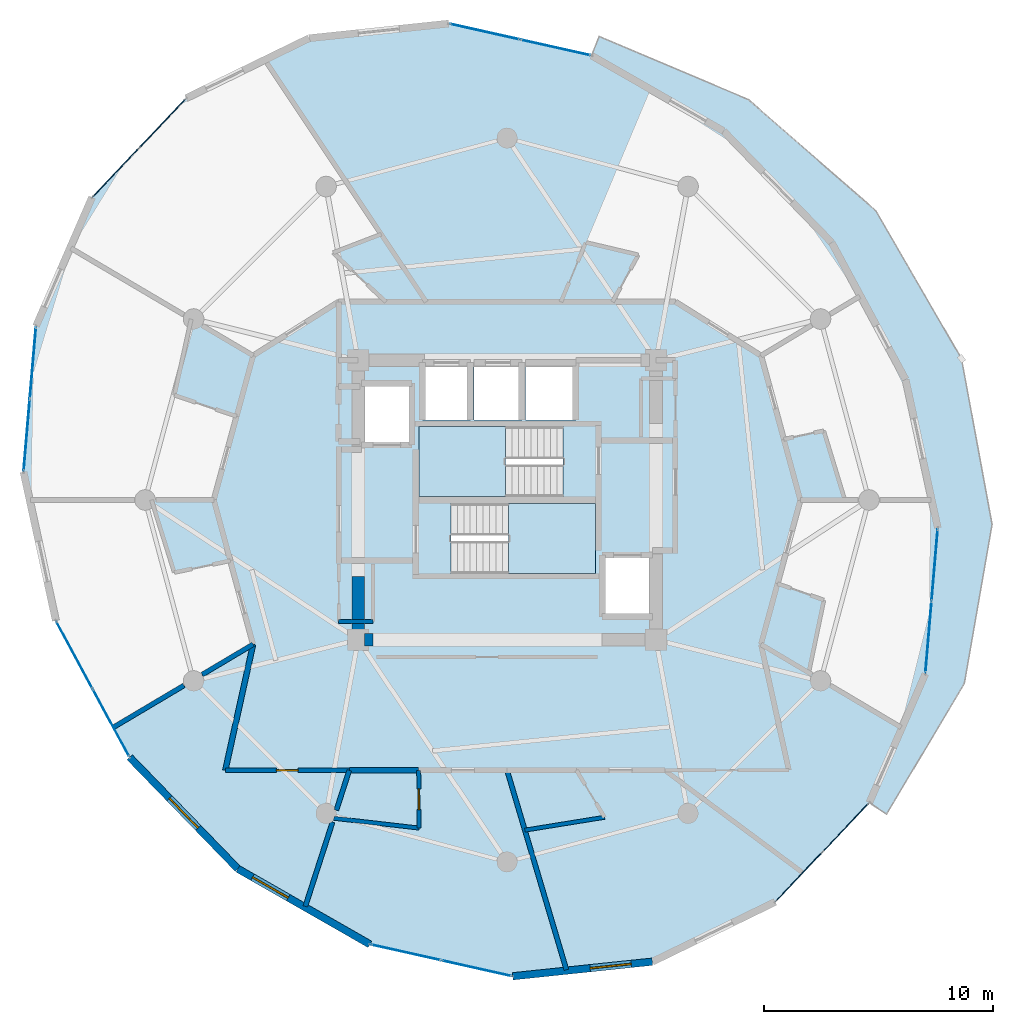
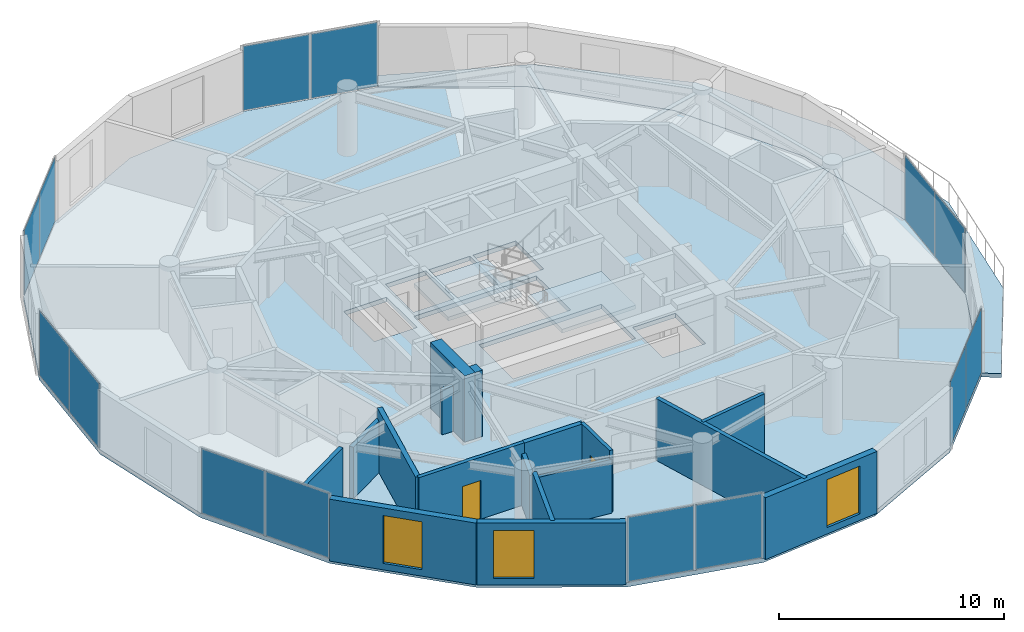
# One storey, part 17 of 23: 17 walls, 14 plates, 4 slabs, 3 windows, 2 doors, 5 openings, 9 elements without a shape of their own.
"""IFC4 building model written with IfcOpenShell, lengths in metres."""

from ifc_helpers import new_model, si_unit, direction, frame, frame_2d, origin, origin_2d, place, context, subcontext, project, spatial, polyline, rectangle, outline, extrude, source, transform, mapped, material, layer, layer_set, type_object, element, fill, aggregate, save


model = new_model("IFC4")

# Units and contexts
model_context = context("Model", 3, precision=1e-05, world=origin(), true_north=direction((0.0, 1.0)))
body_context = subcontext(model_context, "Body", "Model", "MODEL_VIEW")
ifc_project = project(units=[si_unit("LENGTHUNIT", "METRE"), si_unit("AREAUNIT", "SQUARE_METRE"), si_unit("VOLUMEUNIT", "CUBIC_METRE"), si_unit("PLANEANGLEUNIT", "RADIAN"), si_unit("MASSUNIT", "GRAM", prefix="KILO")], contexts=[model_context])

# Site, building, storey
site_placement = place(None, origin())
site = spatial("IfcSite", under=ifc_project, at=site_placement, CompositionType="ELEMENT")
building_placement = place(site_placement, origin())
building = spatial("IfcBuilding", under=site, at=building_placement, Name="Solvirekh Grand Hotel", CompositionType="ELEMENT")
storey_placement = place(building_placement, frame((0.0, 0.0, 180.39990234375)))
storey = spatial("IfcBuildingStorey", under=building, at=storey_placement, Name="L46", CompositionType="ELEMENT", Elevation=180.39990234375)

# Slab
ifc_material_1 = material(Name="Concrete C50/60", Category="concrete")
ifc_layer_1 = layer(ifc_material_1, 0.215087890625)
ifc_layer_set_1 = layer_set([ifc_layer_1], Name="Concrete C50/60")
slab_type_1 = type_object("IfcSlabType", Name="ExtCrescentBalc_215", PredefinedType="FLOOR", material=ifc_layer_set_1)
slab_1_placement = place(storey_placement, frame((0.0, 0.0, -0.21484375)))
element("IfcSlab", 1, at=slab_1_placement, inside=storey, type_object=slab_type_1, Name="L46 sweeping crescent balcony slab", PredefinedType="FLOOR", context=body_context, shape_type="SweptSolid", body=[
    extrude(outline(polyline([(16.56591796875, -13.7080078125), (19.9580078125, -8.013916015625), (21.172119140625, -1.06494140625), (19.8349609375, 6.16796875), (16.087890625, 12.635009765625), (10.52587890625, 17.48388671875), (4.01806640625, 20.236083984375), (3.68994140625, 19.39794921875), (9.450927734375, 16.10302734375), (14.174072265625, 11.23193359375), (17.39794921875, 5.261962890625), (18.804931640625, -1.22412109375), (18.260009765625, -7.590087890625), (15.81396484375, -13.212890625), (16.56591796875, -13.7080078125)])), origin(), (0.0, 0.0, 1.0), 0.21484375),
])

# Stair, slab
ifc_material_2 = material(Name="Concrete C40/50", Category="concrete")
stair_type = type_object("IfcStairType", Name="Stair_Core_1450", PredefinedType="HALF_TURN_STAIR", material=ifc_material_2)
stair_1_placement = place(storey_placement, origin())
stair_1 = element("IfcStair", 2, at=stair_1_placement, inside=storey, type_object=stair_type, Name="L46 Enclosed exit stair ST-1", PredefinedType="HALF_TURN_STAIR")
ifc_layer_2 = layer(ifc_material_2, 0.199951171875)
ifc_layer_set_2 = layer_set([ifc_layer_2], Name="Concrete C40/50")
slab_type_2 = type_object("IfcSlabType", Name="Landing_Stair_200", PredefinedType="LANDING", material=ifc_layer_set_2)
slab_2_placement = place(storey_placement, frame((0.0, 0.0, 1.60009765625)))
slab_2 = element("IfcSlab", 3, at=slab_2_placement, type_object=slab_type_2, Name="ST-1 landing 1", PredefinedType="LANDING", context=body_context, shape_type="SweptSolid", body=[
    extrude(outline(polyline([(0.070068359375, -3.199951171875), (3.85009765625, -3.199951171875), (3.85009765625, -0.14990234375), (0.070068359375, -0.14990234375), (0.070068359375, -3.199951171875)])), origin(), (0.0, 0.0, 1.0), 0.199951171875),
])
aggregate(stair_1, [slab_2])

stair_2_placement = place(storey_placement, origin())
stair_2 = element("IfcStair", 4, at=stair_2_placement, inside=storey, type_object=stair_type, Name="L46 Enclosed exit stair ST-2", PredefinedType="HALF_TURN_STAIR")
slab_3_placement = place(storey_placement, frame((0.0, 0.0, 1.60009765625)))
slab_3 = element("IfcSlab", 5, at=slab_3_placement, type_object=slab_type_2, Name="ST-2 landing 1", PredefinedType="LANDING", context=body_context, shape_type="SweptSolid", body=[
    extrude(outline(polyline([(-0.070068359375, 3.199951171875), (-3.85009765625, 3.199951171875), (-3.85009765625, 0.14990234375), (-0.070068359375, 0.14990234375), (-0.070068359375, 3.199951171875)])), origin(), (0.0, 0.0, 1.0), 0.199951171875),
])
aggregate(stair_2, [slab_3])

# Slab
ifc_layer_3 = layer(ifc_material_2, 0.239990234375)
ifc_layer_set_3 = layer_set([ifc_layer_3], Name="Concrete C40/50")
slab_type_3 = type_object("IfcSlabType", Name="Slab_GuestZ3_240", PredefinedType="FLOOR", material=ifc_layer_set_3)
slab_4_placement = place(storey_placement, frame((0.0, 0.0, -0.239990234375)))
element("IfcSlab", 6, at=slab_4_placement, inside=storey, type_object=slab_type_3, Name="L46 structural floor slab", PredefinedType="FLOOR", context=body_context, shape_type="SweptSolid", body=[
    extrude(outline(polyline([(11.7080078125, -17.5419921875), (15.81396484375, -13.212890625), (18.260009765625, -7.590087890625), (18.804931640625, -1.22412109375), (17.39794921875, 5.261962890625), (14.174072265625, 11.23193359375), (9.450927734375, 16.10302734375), (3.68994140625, 19.39794921875), (-2.544921875, 20.7939453125), (-8.64306640625, 20.155029296875), (-14.008056640625, 17.5419921875), (-18.114013671875, 13.212890625), (-20.56005859375, 7.590087890625), (-21.10498046875, 1.22412109375), (-19.697998046875, -5.261962890625), (-16.47412109375, -11.23193359375), (-11.7509765625, -16.10302734375), (-5.989990234375, -19.39794921875), (0.2451171875, -20.7939453125), (6.343017578125, -20.155029296875), (11.7080078125, -17.5419921875)]), holes=[polyline([(-2.444091796875, -0.14990234375), (3.85009765625, -0.14990234375), (3.85009765625, -3.199951171875), (-2.444091796875, -3.199951171875), (-2.444091796875, -0.14990234375)]), polyline([(2.444091796875, 0.14990234375), (-3.85009765625, 0.14990234375), (-3.85009765625, 3.199951171875), (2.444091796875, 3.199951171875), (2.444091796875, 0.14990234375)]), polyline([(-3.699951171875, 6.0), (-1.60009765625, 6.0), (-1.60009765625, 3.5), (-3.699951171875, 3.5), (-3.699951171875, 6.0)]), polyline([(-1.449951171875, 6.0), (0.64990234375, 6.0), (0.64990234375, 3.5), (-1.449951171875, 3.5), (-1.449951171875, 6.0)]), polyline([(0.800048828125, 6.0), (3.0, 6.0), (3.0, 3.5), (0.800048828125, 3.5), (0.800048828125, 6.0)]), polyline([(-6.35009765625, 5.10009765625), (-4.14990234375, 5.10009765625), (-4.14990234375, 2.39990234375), (-6.35009765625, 2.39990234375), (-6.35009765625, 5.10009765625)]), polyline([(4.14990234375, -2.39990234375), (6.35009765625, -2.39990234375), (6.35009765625, -5.10009765625), (4.14990234375, -5.10009765625), (4.14990234375, -2.39990234375)])]), origin(), (0.0, 0.0, 1.0), 0.239990234375),
])

# Curtain wall, plates
ifc_material_3 = material(Name="Anodized Bronze Aluminium 6063-T6", Category="aluminium")
ifc_layer_4 = layer(ifc_material_3, 0.159912109375)
ifc_layer_set_4 = layer_set([ifc_layer_4], Name="Anodized Bronze Aluminium 6063-T6")
curtain_wall_type = type_object("IfcCurtainWallType", Name="CW_Sys4_HighZoneFlushBronzeCW", PredefinedType="NOTDEFINED", material=ifc_layer_set_4)
curtain_wall_1_placement = place(storey_placement, origin())
curtain_wall_1 = element("IfcCurtainWall", 7, at=curtain_wall_1_placement, inside=storey, type_object=curtain_wall_type, Name="L46 unitised bronze-glass curtain wall CW-L46-C01", PredefinedType="NOTDEFINED")
ifc_material_4 = material(Name="Low-E Tinted Bronze Laminated Glass", Category="aluminium")
ifc_layer_5 = layer(ifc_material_4, 0.033935546875)
ifc_layer_set_5 = layer_set([ifc_layer_5], Name="Low-E Tinted Bronze Laminated Glass")
plate_type = type_object("IfcPlateType", Name="CWPanel_High_34", PredefinedType="CURTAIN_PANEL", material=ifc_layer_set_5)
shared_shape_1 = source(origin(), body_context, "Body", "SweptSolid", [
    extrude(rectangle(XDim=2.893310546875, YDim=0.033935546875, at=origin_2d()), origin(), (0.0, 0.0, 1.0), 3.489990234375),
])
plate_1_placement = place(storey_placement, frame((12.744873046875, -16.448974609375, 0.05517578125), z_axis=(0.0, 0.0, 1.0), x_axis=(0.688172218506, 0.725547377968, 0.0)))
plate_1 = element("IfcPlate", 8, at=plate_1_placement, type_object=plate_type, Name="U04 panel 1.1", PredefinedType="CURTAIN_PANEL", context=body_context, shape_type="MappedRepresentation", body=[
    mapped(shared_shape_1, transform((0.0, 0.0, 0.0), x_axis=(1.0, 0.0, 0.0), y_axis=(0.0, 1.0, 0.0), z_axis=(0.0, 0.0, 1.0), scale=1.0)),
])
plate_2_placement = place(storey_placement, frame((14.777099609375, -14.30615234375, 0.05517578125), z_axis=(0.0, 0.0, 1.0), x_axis=(0.688172218506, 0.725547377968, 0.0)))
plate_2 = element("IfcPlate", 9, at=plate_2_placement, type_object=plate_type, Name="U04 panel 2.1", PredefinedType="CURTAIN_PANEL", context=body_context, shape_type="MappedRepresentation", body=[
    mapped(shared_shape_1, transform((0.0, 0.0, 0.0), x_axis=(1.0, 0.0, 0.0), y_axis=(0.0, 1.0, 0.0), z_axis=(0.0, 0.0, 1.0), scale=1.0)),
])
aggregate(curtain_wall_1, [plate_1, plate_2])

curtain_wall_2_placement = place(storey_placement, origin())
curtain_wall_2 = element("IfcCurtainWall", 10, at=curtain_wall_2_placement, inside=storey, type_object=curtain_wall_type, Name="L46 unitised bronze-glass curtain wall CW-L46-C11", PredefinedType="NOTDEFINED")
plate_3_placement = place(storey_placement, frame((-15.044921875, 16.448974609375, 0.05517578125), z_axis=(0.0, 0.0, 1.0), x_axis=(-0.688172218506, -0.725547377968, 0.0)))
plate_3 = element("IfcPlate", 11, at=plate_3_placement, type_object=plate_type, Name="U04 panel 1.1", PredefinedType="CURTAIN_PANEL", context=body_context, shape_type="MappedRepresentation", body=[
    mapped(shared_shape_1, transform((0.0, 0.0, 0.0), x_axis=(1.0, 0.0, 0.0), y_axis=(0.0, 1.0, 0.0), z_axis=(0.0, 0.0, 1.0), scale=1.0)),
])
plate_4_placement = place(storey_placement, frame((-17.0771484375, 14.30615234375, 0.05517578125), z_axis=(0.0, 0.0, 1.0), x_axis=(-0.688172218506, -0.725547377968, 0.0)))
plate_4 = element("IfcPlate", 12, at=plate_4_placement, type_object=plate_type, Name="U04 panel 2.1", PredefinedType="CURTAIN_PANEL", context=body_context, shape_type="MappedRepresentation", body=[
    mapped(shared_shape_1, transform((0.0, 0.0, 0.0), x_axis=(1.0, 0.0, 0.0), y_axis=(0.0, 1.0, 0.0), z_axis=(0.0, 0.0, 1.0), scale=1.0)),
])
aggregate(curtain_wall_2, [plate_3, plate_4])

curtain_wall_3_placement = place(storey_placement, origin())
curtain_wall_3 = element("IfcCurtainWall", 13, at=curtain_wall_3_placement, inside=storey, type_object=curtain_wall_type, Name="L46 unitised bronze-glass curtain wall CW-L46-C03", PredefinedType="NOTDEFINED")
shared_shape_2 = source(origin(), body_context, "Body", "SweptSolid", [
    extrude(rectangle(XDim=3.104736328125, YDim=0.033935546875, at=origin_2d()), origin(), (0.0, 0.0, 1.0), 3.489990234375),
])
plate_5_placement = place(storey_placement, frame((18.3974609375, -5.983642578125, 0.05517578125), z_axis=(0.0, 0.0, 1.0), x_axis=(0.085299040279, 0.996355395292, 0.0)))
plate_5 = element("IfcPlate", 14, at=plate_5_placement, type_object=plate_type, Name="U04 panel 1.1", PredefinedType="CURTAIN_PANEL", context=body_context, shape_type="MappedRepresentation", body=[
    mapped(shared_shape_2, transform((0.0, 0.0, 0.0), x_axis=(1.0, 0.0, 0.0), y_axis=(0.0, 1.0, 0.0), z_axis=(0.0, 0.0, 1.0), scale=1.0)),
])
plate_6_placement = place(storey_placement, frame((18.66748046875, -2.83056640625, 0.05517578125), z_axis=(0.0, 0.0, 1.0), x_axis=(0.085299040279, 0.996355395292, 0.0)))
plate_6 = element("IfcPlate", 15, at=plate_6_placement, type_object=plate_type, Name="U04 panel 2.1", PredefinedType="CURTAIN_PANEL", context=body_context, shape_type="MappedRepresentation", body=[
    mapped(shared_shape_2, transform((0.0, 0.0, 0.0), x_axis=(1.0, 0.0, 0.0), y_axis=(0.0, 1.0, 0.0), z_axis=(0.0, 0.0, 1.0), scale=1.0)),
])
aggregate(curtain_wall_3, [plate_5, plate_6])

curtain_wall_4_placement = place(storey_placement, origin())
curtain_wall_4 = element("IfcCurtainWall", 16, at=curtain_wall_4_placement, inside=storey, type_object=curtain_wall_type, Name="L46 unitised bronze-glass curtain wall CW-L46-C08", PredefinedType="NOTDEFINED")
plate_7_placement = place(storey_placement, frame((2.11669921875, 19.750244140625, 0.05517578125), z_axis=(0.0, 0.0, 1.0), x_axis=(-0.975839654092, 0.218487916144, 0.0)))
plate_7 = element("IfcPlate", 17, at=plate_7_placement, type_object=plate_type, Name="U04 panel 1.1", PredefinedType="CURTAIN_PANEL", context=body_context, shape_type="MappedRepresentation", body=[
    mapped(shared_shape_2, transform((0.0, 0.0, 0.0), x_axis=(1.0, 0.0, 0.0), y_axis=(0.0, 1.0, 0.0), z_axis=(0.0, 0.0, 1.0), scale=1.0)),
])
plate_8_placement = place(storey_placement, frame((-0.9716796875, 20.441650390625, 0.05517578125), z_axis=(0.0, 0.0, 1.0), x_axis=(-0.975839654092, 0.218487916144, 0.0)))
plate_8 = element("IfcPlate", 18, at=plate_8_placement, type_object=plate_type, Name="U04 panel 2.1", PredefinedType="CURTAIN_PANEL", context=body_context, shape_type="MappedRepresentation", body=[
    mapped(shared_shape_2, transform((0.0, 0.0, 0.0), x_axis=(1.0, 0.0, 0.0), y_axis=(0.0, 1.0, 0.0), z_axis=(0.0, 0.0, 1.0), scale=1.0)),
])
aggregate(curtain_wall_4, [plate_7, plate_8])

curtain_wall_5_placement = place(storey_placement, origin())
curtain_wall_5 = element("IfcCurtainWall", 19, at=curtain_wall_5_placement, inside=storey, type_object=curtain_wall_type, Name="L46 unitised bronze-glass curtain wall CW-L46-C13", PredefinedType="NOTDEFINED")
plate_9_placement = place(storey_placement, frame((-20.697509765625, 5.983642578125, 0.05517578125), z_axis=(0.0, 0.0, 1.0), x_axis=(-0.085299040279, -0.996355395292, 0.0)))
plate_9 = element("IfcPlate", 20, at=plate_9_placement, type_object=plate_type, Name="U04 panel 1.1", PredefinedType="CURTAIN_PANEL", context=body_context, shape_type="MappedRepresentation", body=[
    mapped(shared_shape_2, transform((0.0, 0.0, 0.0), x_axis=(1.0, 0.0, 0.0), y_axis=(0.0, 1.0, 0.0), z_axis=(0.0, 0.0, 1.0), scale=1.0)),
])
plate_10_placement = place(storey_placement, frame((-20.967529296875, 2.83056640625, 0.05517578125), z_axis=(0.0, 0.0, 1.0), x_axis=(-0.085299040279, -0.996355395292, 0.0)))
plate_10 = element("IfcPlate", 21, at=plate_10_placement, type_object=plate_type, Name="U04 panel 2.1", PredefinedType="CURTAIN_PANEL", context=body_context, shape_type="MappedRepresentation", body=[
    mapped(shared_shape_2, transform((0.0, 0.0, 0.0), x_axis=(1.0, 0.0, 0.0), y_axis=(0.0, 1.0, 0.0), z_axis=(0.0, 0.0, 1.0), scale=1.0)),
])
aggregate(curtain_wall_5, [plate_9, plate_10])

curtain_wall_6_placement = place(storey_placement, origin())
curtain_wall_6 = element("IfcCurtainWall", 22, at=curtain_wall_6_placement, inside=storey, type_object=curtain_wall_type, Name="L46 unitised bronze-glass curtain wall CW-L46-C18", PredefinedType="NOTDEFINED")
plate_11_placement = place(storey_placement, frame((-4.41650390625, -19.750244140625, 0.05517578125), z_axis=(0.0, 0.0, 1.0), x_axis=(0.975839654092, -0.218487916144, 0.0)))
plate_11 = element("IfcPlate", 23, at=plate_11_placement, type_object=plate_type, Name="U04 panel 1.1", PredefinedType="CURTAIN_PANEL", context=body_context, shape_type="MappedRepresentation", body=[
    mapped(shared_shape_2, transform((0.0, 0.0, 0.0), x_axis=(1.0, 0.0, 0.0), y_axis=(0.0, 1.0, 0.0), z_axis=(0.0, 0.0, 1.0), scale=1.0)),
])
plate_12_placement = place(storey_placement, frame((-1.328369140625, -20.441650390625, 0.05517578125), z_axis=(0.0, 0.0, 1.0), x_axis=(0.975839654092, -0.218487916144, 0.0)))
plate_12 = element("IfcPlate", 24, at=plate_12_placement, type_object=plate_type, Name="U04 panel 2.1", PredefinedType="CURTAIN_PANEL", context=body_context, shape_type="MappedRepresentation", body=[
    mapped(shared_shape_2, transform((0.0, 0.0, 0.0), x_axis=(1.0, 0.0, 0.0), y_axis=(0.0, 1.0, 0.0), z_axis=(0.0, 0.0, 1.0), scale=1.0)),
])
aggregate(curtain_wall_6, [plate_11, plate_12])

curtain_wall_7_placement = place(storey_placement, origin())
curtain_wall_7 = element("IfcCurtainWall", 25, at=curtain_wall_7_placement, inside=storey, type_object=curtain_wall_type, Name="L46 unitised bronze-glass curtain wall CW-L46-C15", PredefinedType="NOTDEFINED")
shared_shape_3 = source(origin(), body_context, "Body", "SweptSolid", [
    extrude(rectangle(XDim=3.302490234375, YDim=0.033935546875, at=origin_2d()), origin(), (0.0, 0.0, 1.0), 3.489990234375),
])
plate_13_placement = place(storey_placement, frame((-18.884765625, -6.767578125, 0.05517578125), z_axis=(0.0, 0.0, 1.0), x_axis=(0.475171736775, -0.879893073373, 0.0)))
plate_13 = element("IfcPlate", 26, at=plate_13_placement, type_object=plate_type, Name="U04 panel 1.1", PredefinedType="CURTAIN_PANEL", context=body_context, shape_type="MappedRepresentation", body=[
    mapped(shared_shape_3, transform((0.0, 0.0, 0.0), x_axis=(1.0, 0.0, 0.0), y_axis=(0.0, 1.0, 0.0), z_axis=(0.0, 0.0, 1.0), scale=1.0)),
])
plate_14_placement = place(storey_placement, frame((-17.287109375, -9.726318359375, 0.05517578125), z_axis=(0.0, 0.0, 1.0), x_axis=(0.475171736775, -0.879893073373, 0.0)))
plate_14 = element("IfcPlate", 27, at=plate_14_placement, type_object=plate_type, Name="U04 panel 2.1", PredefinedType="CURTAIN_PANEL", context=body_context, shape_type="MappedRepresentation", body=[
    mapped(shared_shape_3, transform((0.0, 0.0, 0.0), x_axis=(1.0, 0.0, 0.0), y_axis=(0.0, 1.0, 0.0), z_axis=(0.0, 0.0, 1.0), scale=1.0)),
])
aggregate(curtain_wall_7, [plate_13, plate_14])

# Walls
ifc_layer_6 = layer(ifc_material_1, 0.550048828125)
ifc_layer_set_6 = layer_set([ifc_layer_6], Name="Concrete C50/60")
wall_type_1 = type_object("IfcWallType", Name="CoreWall_RC550", PredefinedType="SHEAR", material=ifc_layer_set_6)
wall_1_placement = place(storey_placement, frame((-6.22509765625, -6.10009765625, 0.0), z_axis=(0.0, 0.0, 1.0), x_axis=(1.0, 0.0, 0.0)))
element("IfcWall", 28, at=wall_1_placement, inside=storey, type_object=wall_type_1, Name="L46 core corner shear wall SW-S", PredefinedType="SHEAR", context=body_context, shape_type="SweptSolid", body=[
    extrude(rectangle(XDim=0.375, YDim=0.550048828125, at=frame_2d((0.1875, 0.0))), origin(), (0.0, 0.0, 1.0), 3.60009765625),
])
wall_2_placement = place(storey_placement, frame((-6.5, -6.375, 0.0), z_axis=(0.0, 0.0, 1.0), x_axis=(0.0, 1.0, 0.0)))
element("IfcWall", 29, at=wall_2_placement, inside=storey, type_object=wall_type_1, Name="L46 core corner shear wall WS-W", PredefinedType="SHEAR", context=body_context, shape_type="SweptSolid", body=[
    extrude(rectangle(XDim=3.02490234375, YDim=0.550048828125, at=frame_2d((1.512451171875, 0.0))), origin(), (0.0, 0.0, 1.0), 3.60009765625),
])

# Wall, opening, window
ifc_material_5 = material(Name="Precast concrete C45/55", Category="concrete")
ifc_layer_7 = layer(ifc_material_5, 0.320068359375)
ifc_layer_set_7 = layer_set([ifc_layer_7], Name="Precast concrete C45/55")
wall_type_2 = type_object("IfcWallType", Name="ExtLobbyWall_RC320", PredefinedType="SOLIDWALL", material=ifc_layer_set_7)
wall_3_placement = place(storey_placement, frame((-11.7509765625, -16.10302734375, 0.0), z_axis=(0.0, 0.0, 1.0), x_axis=(-0.696119985346, 0.71792545992, 0.0)))
wall_3 = element("IfcWall", 30, at=wall_3_placement, inside=storey, type_object=wall_type_2, Name="L46 exterior structural wall chord 16", PredefinedType="SOLIDWALL", context=body_context, shape_type="SweptSolid", body=[
    extrude(rectangle(XDim=6.784912109375, YDim=0.320068359375, at=frame_2d((3.392578125, 0.0))), origin(), (0.0, 0.0, 1.0), 3.360107421875),
])
opening_1_placement = place(wall_3_placement, frame((2.491943359375, 0.0, 0.35009765625)))
opening_1 = element("IfcOpeningElement", 31, at=opening_1_placement, cuts=wall_3, Name="Opening W02", PredefinedType="OPENING", context=body_context, shape_type="SweptSolid", body=[
    extrude(rectangle(XDim=1.800048828125, YDim=2.60009765625, at=frame_2d((0.89990234375, 1.300048828125))), frame((0.0, 0.169921875, 0.0), z_axis=(0.0, -1.0, 0.0), x_axis=(1.0, 0.0, 0.0)), (0.0, 0.0, 1.0), 0.340087890625),
])
window_type = type_object("IfcWindowType", Name="Win_LobbyExt_1800X2600", PartitioningType="SINGLE_PANEL", PredefinedType="WINDOW", material=ifc_material_4)
window_1_placement = place(opening_1_placement, origin())
window_1 = element("IfcWindow", 32, at=window_1_placement, inside=storey, type_object=window_type, Name="L46 panoramic bronze-framed window 16", OverallHeight=2.60009765625, OverallWidth=1.800048828125, PartitioningType="SINGLE_PANEL", PredefinedType="WINDOW", context=body_context, shape_type="SweptSolid", body=[
    extrude(rectangle(XDim=1.800048828125, YDim=2.60009765625, at=frame_2d((0.89990234375, 1.300048828125))), frame((0.0, 0.030029296875, 0.0), z_axis=(0.0, -1.0, 0.0), x_axis=(1.0, 0.0, 0.0)), (0.0, 0.0, 1.0), 0.06005859375),
])
fill(opening_1, window_1)

wall_4_placement = place(storey_placement, frame((-5.989990234375, -19.39794921875, 0.0), z_axis=(0.0, 0.0, 1.0), x_axis=(-0.868052920032, 0.496471678974, 0.0)))
wall_4 = element("IfcWall", 33, at=wall_4_placement, inside=storey, type_object=wall_type_2, Name="L46 exterior structural wall chord 17", PredefinedType="SOLIDWALL", context=body_context, shape_type="SweptSolid", body=[
    extrude(rectangle(XDim=6.63671875, YDim=0.320068359375, at=frame_2d((3.318359375, 0.0))), origin(), (0.0, 0.0, 1.0), 3.360107421875),
])
opening_2_placement = place(wall_4_placement, frame((4.10205078125, 0.0, 0.35009765625)))
opening_2 = element("IfcOpeningElement", 34, at=opening_2_placement, cuts=wall_4, Name="Opening W02", PredefinedType="OPENING", context=body_context, shape_type="SweptSolid", body=[
    extrude(rectangle(XDim=1.800048828125, YDim=2.60009765625, at=frame_2d((0.89990234375, 1.300048828125))), frame((0.0, 0.169921875, 0.0), z_axis=(0.0, -1.0, 0.0), x_axis=(1.0, 0.0, 0.0)), (0.0, 0.0, 1.0), 0.340087890625),
])
window_2_placement = place(opening_2_placement, origin())
window_2 = element("IfcWindow", 35, at=window_2_placement, inside=storey, type_object=window_type, Name="L46 panoramic bronze-framed window 17", OverallHeight=2.60009765625, OverallWidth=1.800048828125, PartitioningType="SINGLE_PANEL", PredefinedType="WINDOW", context=body_context, shape_type="SweptSolid", body=[
    extrude(rectangle(XDim=1.800048828125, YDim=2.60009765625, at=frame_2d((0.89990234375, 1.300048828125))), frame((0.0, 0.030029296875, 0.0), z_axis=(0.0, -1.0, 0.0), x_axis=(1.0, 0.0, 0.0)), (0.0, 0.0, 1.0), 0.06005859375),
])
fill(opening_2, window_2)

wall_5_placement = place(storey_placement, frame((6.343017578125, -20.155029296875, 0.0), z_axis=(0.0, 0.0, 1.0), x_axis=(-0.994555738522, -0.104205964195, 0.0)))
wall_5 = element("IfcWall", 36, at=wall_5_placement, inside=storey, type_object=wall_type_2, Name="L46 exterior structural wall chord 19", PredefinedType="SOLIDWALL", context=body_context, shape_type="SweptSolid", body=[
    extrude(rectangle(XDim=6.13134765625, YDim=0.320068359375, at=frame_2d((3.065673828125, 0.0))), origin(), (0.0, 0.0, 1.0), 3.360107421875),
])
opening_3_placement = place(wall_5_placement, frame((0.93408203125, 0.0, 0.35009765625)))
opening_3 = element("IfcOpeningElement", 37, at=opening_3_placement, cuts=wall_5, Name="Opening W02", PredefinedType="OPENING", context=body_context, shape_type="SweptSolid", body=[
    extrude(rectangle(XDim=1.800048828125, YDim=2.60009765625, at=frame_2d((0.89990234375, 1.300048828125))), frame((0.0, 0.169921875, 0.0), z_axis=(0.0, -1.0, 0.0), x_axis=(1.0, 0.0, 0.0)), (0.0, 0.0, 1.0), 0.340087890625),
])
window_3_placement = place(opening_3_placement, origin())
window_3 = element("IfcWindow", 38, at=window_3_placement, inside=storey, type_object=window_type, Name="L46 panoramic bronze-framed window 19", OverallHeight=2.60009765625, OverallWidth=1.800048828125, PartitioningType="SINGLE_PANEL", PredefinedType="WINDOW", context=body_context, shape_type="SweptSolid", body=[
    extrude(rectangle(XDim=1.800048828125, YDim=2.60009765625, at=frame_2d((0.89990234375, 1.300048828125))), frame((0.0, 0.030029296875, 0.0), z_axis=(0.0, -1.0, 0.0), x_axis=(1.0, 0.0, 0.0)), (0.0, 0.0, 1.0), 0.06005859375),
])
fill(opening_3, window_3)

# Walls
ifc_material_6 = material(Name="Acoustic Gypsum Partition Assembly")
ifc_layer_8 = layer(ifc_material_6, 0.1650390625)
ifc_layer_set_8 = layer_set([ifc_layer_8], Name="Acoustic Gypsum Partition Assembly")
wall_type_3 = type_object("IfcWallType", Name="Part_BOH_165", PredefinedType="PARTITIONING", material=ifc_layer_set_8)
wall_6_placement = place(storey_placement, frame((-7.35009765625, -5.300048828125, 0.0), z_axis=(0.0, 0.0, 1.0), x_axis=(1.0, 0.0, 0.0)))
element("IfcWall", 39, at=wall_6_placement, inside=storey, type_object=wall_type_3, Name="L46 L46 Core Linen Store wall 1", PredefinedType="PARTITIONING", context=body_context, shape_type="SweptSolid", body=[
    extrude(rectangle(XDim=1.5, YDim=0.1650390625, at=frame_2d((0.75, 0.0))), origin(), (0.0, 0.0, 1.0), 2.445068359375),
])
ifc_layer_9 = layer(ifc_material_6, 0.239990234375)
ifc_layer_set_9 = layer_set([ifc_layer_9], Name="Acoustic Gypsum Partition Assembly")
wall_type_4 = type_object("IfcWallType", Name="Part_Corridor_240", PredefinedType="PARTITIONING", material=ifc_layer_set_9)
wall_7_placement = place(storey_placement, frame((-11.0849609375, -6.300048828125, 0.0), z_axis=(0.0, 0.0, 1.0), x_axis=(-0.21572328796, -0.976454537104, 0.0)))
element("IfcWall", 40, at=wall_7_placement, inside=storey, type_object=wall_type_4, Name="L46 L46 Private Relaxation Lounge corridor wall 1", PredefinedType="PARTITIONING", context=body_context, shape_type="SweptSolid", body=[
    extrude(rectangle(XDim=5.632568359375, YDim=0.239990234375, at=frame_2d((2.81640625, 0.0))), origin(), (0.0, 0.0, 1.0), 3.360107421875),
])
wall_8_placement = place(storey_placement, frame((-6.887939453125, -11.800048828125, 0.0), z_axis=(0.0, 0.0, 1.0), x_axis=(1.0, 0.0, 0.0)))
element("IfcWall", 41, at=wall_8_placement, inside=storey, type_object=wall_type_4, Name="L46 En-suite Bathroom 4807 corridor backing wall", PredefinedType="PARTITIONING", context=body_context, shape_type="SweptSolid", body=[
    extrude(rectangle(XDim=3.031005859375, YDim=0.239990234375, at=frame_2d((1.515625, 0.0))), origin(), (0.0, 0.0, 1.0), 3.360107421875),
])

# Wall, opening, door
ifc_layer_10 = layer(ifc_material_6, 0.18994140625)
ifc_layer_set_10 = layer_set([ifc_layer_10], Name="Acoustic Gypsum Partition Assembly")
wall_type_5 = type_object("IfcWallType", Name="Part_GuestDemise_190", PredefinedType="PARTITIONING", material=ifc_layer_set_10)
wall_9_placement = place(storey_placement, frame((-12.300048828125, -11.800048828125, 0.0), z_axis=(0.0, 0.0, 1.0), x_axis=(1.0, 0.0, 0.0)))
wall_9 = element("IfcWall", 42, at=wall_9_placement, inside=storey, type_object=wall_type_5, Name="L46 L46 Private Relaxation Lounge entrance wall", PredefinedType="PARTITIONING", context=body_context, shape_type="SweptSolid", body=[
    extrude(rectangle(XDim=5.412109375, YDim=0.18994140625, at=frame_2d((2.7060546875, 0.0))), origin(), (0.0, 0.0, 1.0), 3.360107421875),
])
opening_4_placement = place(wall_9_placement, frame((2.23095703125, 0.0, 0.0)))
opening_4 = element("IfcOpeningElement", 43, at=opening_4_placement, cuts=wall_9, Name="Opening D10", PredefinedType="OPENING", context=body_context, shape_type="SweptSolid", body=[
    extrude(rectangle(XDim=0.949951171875, YDim=2.10009765625, at=frame_2d((0.47509765625, 1.050048828125))), frame((0.0, 0.10498046875, 0.0), z_axis=(0.0, -1.0, 0.0), x_axis=(1.0, 0.0, 0.0)), (0.0, 0.0, 1.0), 0.2099609375),
])
door_type_1 = type_object("IfcDoorType", Name="Door_RoomInt_950X2100", OperationType="NOTDEFINED", PredefinedType="DOOR", material=ifc_material_3)
door_1_placement = place(opening_4_placement, origin())
door_1 = element("IfcDoor", 44, at=door_1_placement, inside=storey, type_object=door_type_1, Name="L46 L46 Private Relaxation Lounge entrance door", OperationType="SINGLE_SWING_RIGHT", OverallHeight=2.10009765625, OverallWidth=0.949951171875, PredefinedType="DOOR", context=body_context, shape_type="SweptSolid", body=[
    extrude(rectangle(XDim=0.949951171875, YDim=2.10009765625, at=frame_2d((0.47509765625, 1.050048828125))), frame((0.0, 0.02490234375, 0.0), z_axis=(0.0, -1.0, 0.0), x_axis=(1.0, 0.0, 0.0)), (0.0, 0.0, 1.0), 0.050048828125),
])
fill(opening_4, door_1)

# Walls
ifc_layer_11 = layer(ifc_material_6, 0.2099609375)
ifc_layer_set_11 = layer_set([ifc_layer_11], Name="Acoustic Gypsum Partition Assembly")
wall_type_6 = type_object("IfcWallType", Name="Part_SuiteDemise_210", PredefinedType="PARTITIONING", material=ifc_layer_set_11)
wall_10_placement = place(storey_placement, frame((-11.0849609375, -6.300048828125, 0.0), z_axis=(0.0, 0.0, 1.0), x_axis=(-0.859827513331, -0.510584613281, 0.0)))
element("IfcWall", 45, at=wall_10_placement, inside=storey, type_object=wall_type_6, Name="L46 suite radial wall 8 (A)", PredefinedType="PARTITIONING", context=body_context, shape_type="SweptSolid", body=[
    extrude(rectangle(XDim=2.5830078125, YDim=0.2099609375, at=frame_2d((1.29150390625, 0.0))), origin(), (0.0, 0.0, 1.0), 2.801025390625),
])
wall_11_placement = place(storey_placement, frame((-14.110107421875, -8.095947265625, 0.0), z_axis=(0.0, 0.0, 1.0), x_axis=(-0.859825355727, -0.510588246682, 0.0)))
element("IfcWall", 46, at=wall_11_placement, inside=storey, type_object=wall_type_6, Name="L46 suite radial wall 8 (B)", PredefinedType="PARTITIONING", context=body_context, shape_type="SweptSolid", body=[
    extrude(rectangle(XDim=3.533203125, YDim=0.2099609375, at=frame_2d((1.7666015625, 0.0))), origin(), (0.0, 0.0, 1.0), 3.360107421875),
])
wall_12_placement = place(storey_placement, frame((-6.887939453125, -11.800048828125, 0.0), z_axis=(0.0, 0.0, 1.0), x_axis=(-0.307220756357, -0.95163827522, 0.0)))
element("IfcWall", 47, at=wall_12_placement, inside=storey, type_object=wall_type_6, Name="L46 L46 Private Relaxation Lounge dividing partition 1 (A)", PredefinedType="PARTITIONING", context=body_context, shape_type="SweptSolid", body=[
    extrude(rectangle(XDim=1.83251953125, YDim=0.2099609375, at=frame_2d((0.916259765625, 0.0))), origin(), (0.0, 0.0, 1.0), 2.801025390625),
])
wall_13_placement = place(storey_placement, frame((-7.617919921875, -14.05908203125, 0.0), z_axis=(0.0, 0.0, 1.0), x_axis=(-0.307297747986, -0.9516134163, 0.0)))
element("IfcWall", 48, at=wall_13_placement, inside=storey, type_object=wall_type_6, Name="L46 L46 Private Relaxation Lounge dividing partition 1 (B)", PredefinedType="PARTITIONING", context=body_context, shape_type="SweptSolid", body=[
    extrude(rectangle(XDim=3.869140625, YDim=0.2099609375, at=frame_2d((1.9345703125, 0.0))), origin(), (0.0, 0.0, 1.0), 3.360107421875),
])
wall_14_placement = place(storey_placement, frame((0.0, -11.800048828125, 0.0), z_axis=(0.0, 0.0, 1.0), x_axis=(0.285192468368, -0.958470268702, 0.0)))
element("IfcWall", 49, at=wall_14_placement, inside=storey, type_object=wall_type_6, Name="L46 Deluxe Guestroom 4807 dividing partition 1", PredefinedType="PARTITIONING", context=body_context, shape_type="SweptSolid", body=[
    extrude(rectangle(XDim=9.085205078125, YDim=0.2099609375, at=frame_2d((4.54248046875, 0.0))), origin(), (0.0, 0.0, 1.0), 3.360107421875),
])
ifc_layer_12 = layer(ifc_material_6, 0.175048828125)
ifc_layer_set_12 = layer_set([ifc_layer_12], Name="Acoustic Gypsum Partition Assembly")
wall_type_7 = type_object("IfcWallType", Name="Plumb_Ensuite_175", PredefinedType="PLUMBINGWALL", material=ifc_layer_set_12)
wall_15_placement = place(storey_placement, frame((-7.56396484375, -13.89306640625, 0.0), z_axis=(0.0, 0.0, 1.0), x_axis=(0.993452151759, -0.114248948203, 0.0)))
element("IfcWall", 50, at=wall_15_placement, inside=storey, type_object=wall_type_7, Name="L46 En-suite Bathroom 4807 outer plumbing wall", PredefinedType="PLUMBINGWALL", context=body_context, shape_type="SweptSolid", body=[
    extrude(rectangle(XDim=3.754638671875, YDim=0.175048828125, at=frame_2d((1.87744140625, 0.0))), origin(), (0.0, 0.0, 1.0), 2.92919921875),
])

# Wall, opening, door
wall_16_placement = place(storey_placement, frame((-3.85693359375, -11.800048828125, 0.0), z_axis=(0.0, 0.0, 1.0), x_axis=(0.009099332858, -0.999958600214, 0.0)))
wall_16 = element("IfcWall", 51, at=wall_16_placement, inside=storey, type_object=wall_type_7, Name="L46 En-suite Bathroom 4807 entry plumbing wall", PredefinedType="PLUMBINGWALL", context=body_context, shape_type="SweptSolid", body=[
    extrude(rectangle(XDim=2.52197265625, YDim=0.175048828125, at=frame_2d((1.260986328125, 0.0))), origin(), (0.0, 0.0, 1.0), 3.360107421875),
])
opening_5_placement = place(wall_16_placement, frame((0.81103515625, 0.0, 0.0)))
opening_5 = element("IfcOpeningElement", 52, at=opening_5_placement, cuts=wall_16, Name="Opening D09", PredefinedType="OPENING", context=body_context, shape_type="SweptSolid", body=[
    extrude(rectangle(XDim=0.89990234375, YDim=2.10009765625, at=frame_2d((0.449951171875, 1.050048828125))), frame((0.0, 0.09765625, 0.0), z_axis=(0.0, -1.0, 0.0), x_axis=(1.0, 0.0, 0.0)), (0.0, 0.0, 1.0), 0.195068359375),
])
door_type_2 = type_object("IfcDoorType", Name="Door_Ensuite_900X2100", OperationType="NOTDEFINED", PredefinedType="DOOR", material=ifc_material_3)
door_2_placement = place(opening_5_placement, origin())
door_2 = element("IfcDoor", 53, at=door_2_placement, inside=storey, type_object=door_type_2, Name="L46 En-suite Bathroom 4807 door", OperationType="SINGLE_SWING_LEFT", OverallHeight=2.10009765625, OverallWidth=0.89990234375, PredefinedType="DOOR", context=body_context, shape_type="SweptSolid", body=[
    extrude(rectangle(XDim=0.89990234375, YDim=2.10009765625, at=frame_2d((0.449951171875, 1.050048828125))), frame((0.0, 0.02490234375, 0.0), z_axis=(0.0, -1.0, 0.0), x_axis=(1.0, 0.0, 0.0)), (0.0, 0.0, 1.0), 0.050048828125),
])
fill(opening_5, door_2)

# Wall
wall_17_placement = place(storey_placement, frame((0.777099609375, -14.412109375, 0.0), z_axis=(0.0, 0.0, 1.0), x_axis=(0.987208789181, 0.159432765027, 0.0)))
element("IfcWall", 54, at=wall_17_placement, inside=storey, type_object=wall_type_7, Name="L46 En-suite Bathroom 4808 outer plumbing wall", PredefinedType="PLUMBINGWALL", context=body_context, shape_type="SweptSolid", body=[
    extrude(rectangle(XDim=3.525146484375, YDim=0.175048828125, at=frame_2d((1.7626953125, 0.0))), origin(), (0.0, 0.0, 1.0), 3.360107421875),
])

save(model, "model.ifc")
